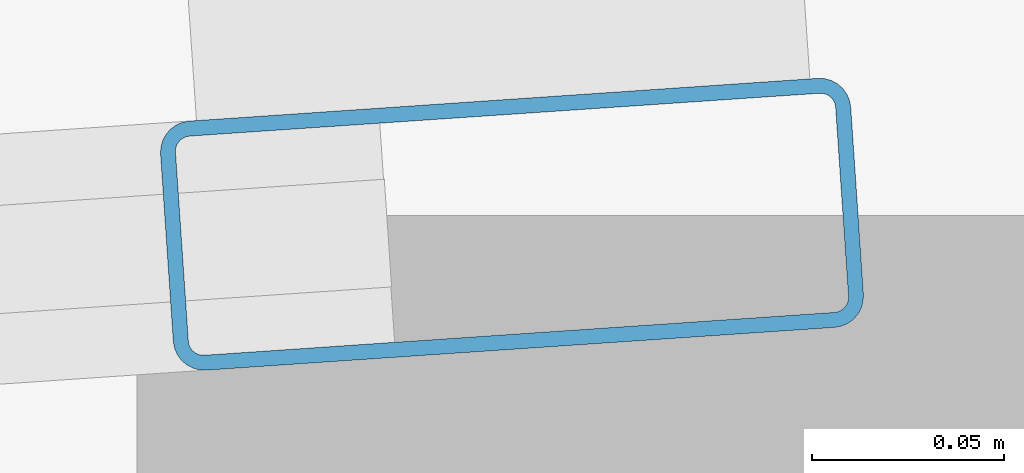
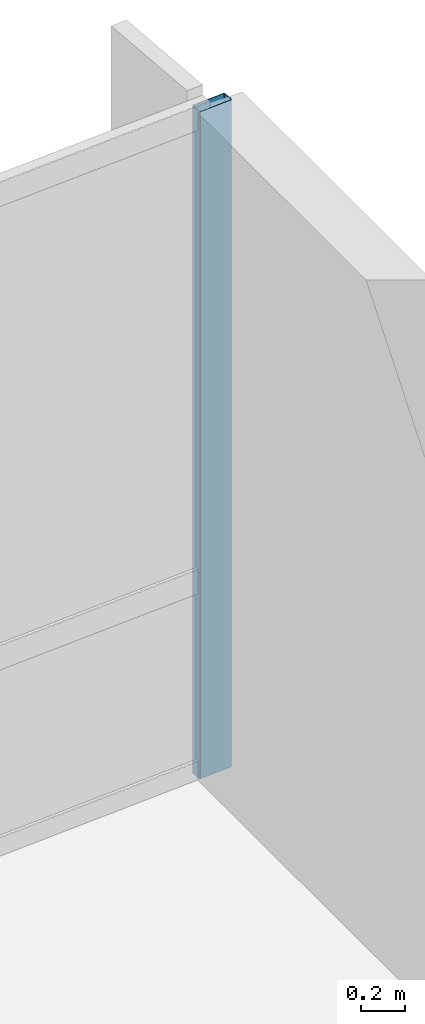
# One storey, part 9 of 17: 1 member, 1 element without a shape of its own.
"""IFC4 building model written with IfcOpenShell, lengths in metres."""

from ifc_helpers import new_model, si_unit, direction, frame, origin, origin_2d, place, context, subcontext, project, spatial, hollow_rectangle, extrude, material, layer, layer_set, material_profile, profile_set, type_object, element, aggregate, save


model = new_model("IFC4")

# Units and contexts
model_context = context("Model", 3, precision=1e-05, world=origin(), true_north=direction((0.0, 1.0)))
body_context = subcontext(model_context, "Body", "Model", "MODEL_VIEW")
ifc_project = project(units=[si_unit("LENGTHUNIT", "METRE"), si_unit("AREAUNIT", "SQUARE_METRE"), si_unit("VOLUMEUNIT", "CUBIC_METRE"), si_unit("PLANEANGLEUNIT", "RADIAN"), si_unit("MASSUNIT", "GRAM", prefix="KILO")], contexts=[model_context])

# Site, building, storey
site_placement = place(None, origin())
site = spatial("IfcSite", under=ifc_project, at=site_placement, CompositionType="ELEMENT")
building_placement = place(site_placement, origin())
building = spatial("IfcBuilding", under=site, at=building_placement, Name="Varnakote Quay Hospital", CompositionType="ELEMENT")
storey_placement = place(building_placement, frame((0.0, 0.0, 184.199951171875)))
storey = spatial("IfcBuildingStorey", under=building, at=storey_placement, Name="L45", CompositionType="ELEMENT", Elevation=184.199951171875)

# Curtain wall, member
ifc_material_1 = material(Name="Anodised aluminium 6063-T6 Bronze", Category="aluminium")
ifc_layer = layer(ifc_material_1, 0.219970703125)
ifc_layer_set = layer_set([ifc_layer], Name="Anodised aluminium 6063-T6 Bronze")
curtain_wall_type = type_object("IfcCurtainWallType", Name="CW-SYS-4", PredefinedType="NOTDEFINED", material=ifc_layer_set)
curtain_wall_placement = place(storey_placement, origin())
curtain_wall = element("IfcCurtainWall", 1, at=curtain_wall_placement, inside=storey, type_object=curtain_wall_type, Name="L45 Unitised Bronze Curtain Wall 2", PredefinedType="NOTDEFINED")
ifc_material_2 = material(Name="Anodised aluminium 6063-T6 Bronze", Category="aluminium")
ifc_material_profile = material_profile(ifc_material_2, hollow_rectangle(XDim=0.06494140625, YDim=0.179931640625, WallThickness=0.00390625, InnerFilletRadius=0.00390625, OuterFilletRadius=0.008056640625, at=origin_2d()), Name="CW-MULL-180x65")
ifc_profile_set = profile_set([ifc_material_profile], Name="Anodised aluminium 6063-T6 Bronze")
member_type = type_object("IfcMemberType", Name="CW-MULL-180x65", PredefinedType="MULLION", material=ifc_profile_set)
member_placement = place(storey_placement, frame((48.507568359375, 31.626708984375, 0.0), z_axis=(0.0, 0.0, 1.0), x_axis=(0.067841851077, -0.997696087615, 0.0)))
member = element("IfcMember", 2, at=member_placement, type_object=member_type, Name="-4-L45-2 mullion 1", PredefinedType="MULLION", context=body_context, shape_type="SweptSolid", body=[
    extrude(hollow_rectangle(XDim=0.06494140625, YDim=0.179931640625, WallThickness=0.00390625, InnerFilletRadius=0.00390625, OuterFilletRadius=0.008056640625, at=origin_2d()), origin(), (0.0, 0.0, 1.0), 3.7099609375),
])
aggregate(curtain_wall, [member])

save(model, "model.ifc")
